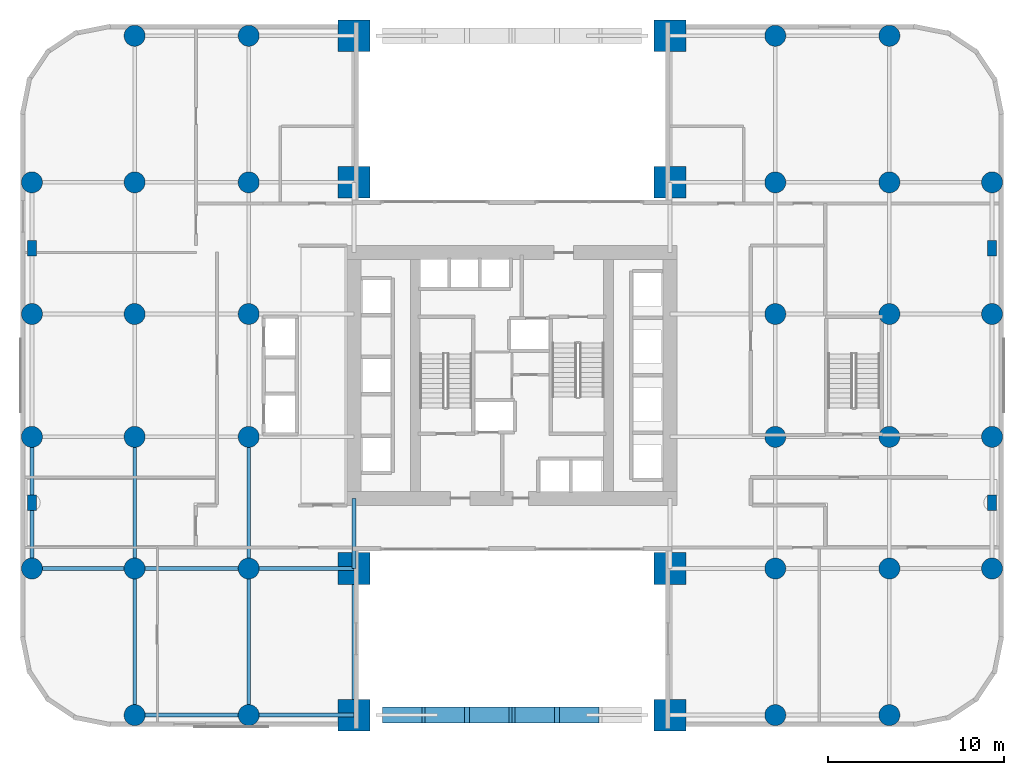
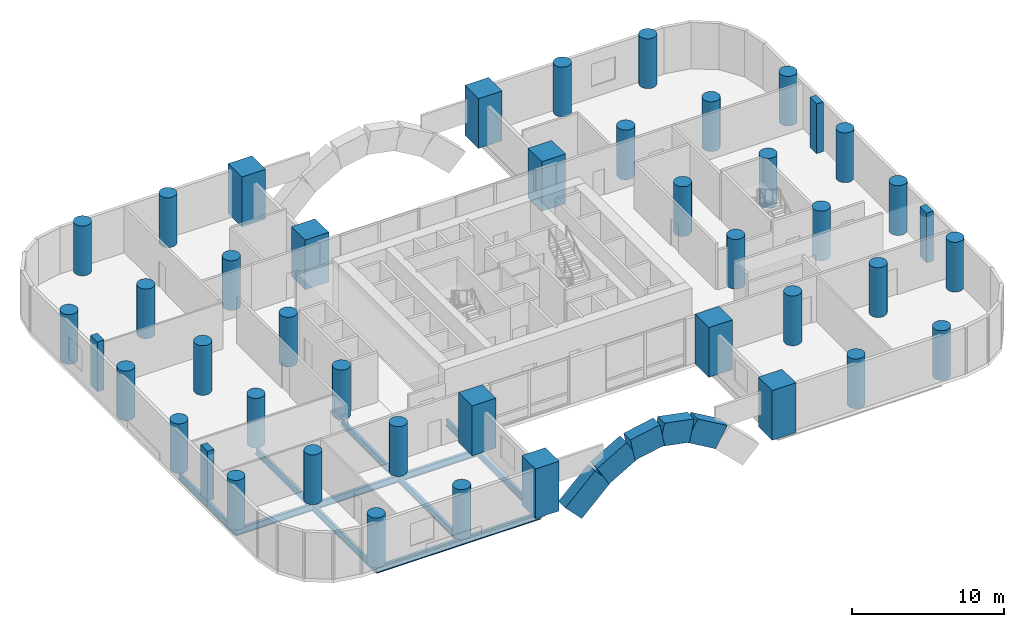
# One storey, part 1 of 9: 44 columns, 13 beams, 5 members.
"""IFC4 building model written with IfcOpenShell, lengths in metres."""

from ifc_helpers import new_model, si_unit, direction, frame, origin, origin_2d, place, context, subcontext, project, spatial, rectangle, circle, i_section, extrude, material, material_profile, profile_set, type_object, element, save


model = new_model("IFC4")

# Units and contexts
model_context = context("Model", 3, precision=1e-05, world=origin(), true_north=direction((0.0, 1.0)))
body_context = subcontext(model_context, "Body", "Model", "MODEL_VIEW")
ifc_project = project(units=[si_unit("LENGTHUNIT", "METRE"), si_unit("AREAUNIT", "SQUARE_METRE"), si_unit("VOLUMEUNIT", "CUBIC_METRE"), si_unit("PLANEANGLEUNIT", "RADIAN"), si_unit("MASSUNIT", "GRAM", prefix="KILO")], contexts=[model_context])

# Site, building, storey
site_placement = place(None, origin())
site = spatial("IfcSite", under=ifc_project, at=site_placement, CompositionType="ELEMENT")
building_placement = place(site_placement, origin())
building = spatial("IfcBuilding", under=site, at=building_placement, Name="Veldorim Arch Residences", CompositionType="ELEMENT")
storey_placement = place(building_placement, frame((0.0, 0.0, 8.0)))
storey = spatial("IfcBuildingStorey", under=building, at=storey_placement, Name="L02", CompositionType="ELEMENT", Elevation=8.0)

# Columns
ifc_material_1 = material(Name="Concrete C60/75", Category="concrete")
ifc_material_profile_1 = material_profile(ifc_material_1, circle(Radius=0.60009765625, at=origin_2d()), Name="RC_CIRC_1200")
ifc_profile_set_1 = profile_set([ifc_material_profile_1], Name="Concrete C60/75")
column_type_1 = type_object("IfcColumnType", Name="Structural Column RC_CIRC_1200", PredefinedType="COLUMN", material=ifc_profile_set_1)
for number, where, z_axis, x_axis, name in (
    (1, (4.64990234375, 13.0, 0.0), (0.0, 0.0, 1.0), (1.0, 0.0, 0.0), "L02 podium column (4.65, 13.00)"),
    (2, (4.64990234375, 20.5, 0.0), (0.0, 0.0, 1.0), (1.0, 0.0, 0.0), "L02 podium column (4.65, 20.50)"),
    (3, (4.64990234375, 27.5, 0.0), (0.0, 0.0, 1.0), (1.0, 0.0, 0.0), "L02 podium column (4.65, 27.50)"),
    (4, (4.64990234375, 35.0, 0.0), (0.0, 0.0, 1.0), (1.0, 0.0, 0.0), "L02 podium column (4.65, 35.00)"),
    (5, (10.5, 4.64990234375, 0.0), (0.0, 0.0, 1.0), (1.0, 0.0, 0.0), "L02 podium column (10.50, 4.65)"),
    (6, (10.5, 13.0, 0.0), (0.0, 0.0, 1.0), (1.0, 0.0, 0.0), "L02 podium column (10.50, 13.00)"),
    (7, (10.5, 20.5, 0.0), (0.0, 0.0, 1.0), (1.0, 0.0, 0.0), "L02 podium column (10.50, 20.50)"),
    (8, (10.5, 27.5, 0.0), (0.0, 0.0, 1.0), (1.0, 0.0, 0.0), "L02 podium column (10.50, 27.50)"),
    (9, (10.5, 35.0, 0.0), (0.0, 0.0, 1.0), (1.0, 0.0, 0.0), "L02 podium column (10.50, 35.00)"),
    (10, (10.5, 43.35009765625, 0.0), (0.0, 0.0, 1.0), (1.0, 0.0, 0.0), "L02 podium column (10.50, 43.35)"),
    (11, (17.0, 4.64990234375, 0.0), (0.0, 0.0, 1.0), (1.0, 0.0, 0.0), "L02 podium column (17.00, 4.65)"),
    (12, (17.0, 13.0, 0.0), (0.0, 0.0, 1.0), (1.0, 0.0, 0.0), "L02 podium column (17.00, 13.00)"),
    (13, (17.0, 20.5, 0.0), (0.0, 0.0, 1.0), (1.0, 0.0, 0.0), "L02 podium column (17.00, 20.50)"),
    (14, (17.0, 27.5, 0.0), (0.0, 0.0, 1.0), (1.0, 0.0, 0.0), "L02 podium column (17.00, 27.50)"),
    (15, (17.0, 35.0, 0.0), (0.0, 0.0, 1.0), (1.0, 0.0, 0.0), "L02 podium column (17.00, 35.00)"),
    (16, (17.0, 43.35009765625, 0.0), (0.0, 0.0, 1.0), (1.0, 0.0, 0.0), "L02 podium column (17.00, 43.35)"),
    (17, (47.0, 4.64990234375, 0.0), (0.0, 0.0, 1.0), (1.0, 0.0, 0.0), "L02 podium column (47.00, 4.65)"),
    (18, (47.0, 13.0, 0.0), (0.0, 0.0, 1.0), (1.0, 0.0, 0.0), "L02 podium column (47.00, 13.00)"),
    (19, (47.0, 20.5, 0.0), (0.0, 0.0, 1.0), (1.0, 0.0, 0.0), "L02 podium column (47.00, 20.50)"),
    (20, (47.0, 27.5, 0.0), (0.0, 0.0, 1.0), (1.0, 0.0, 0.0), "L02 podium column (47.00, 27.50)"),
    (21, (47.0, 35.0, 0.0), (0.0, 0.0, 1.0), (1.0, 0.0, 0.0), "L02 podium column (47.00, 35.00)"),
    (22, (47.0, 43.35009765625, 0.0), (0.0, 0.0, 1.0), (1.0, 0.0, 0.0), "L02 podium column (47.00, 43.35)"),
    (23, (53.5, 4.64990234375, 0.0), (0.0, 0.0, 1.0), (1.0, 0.0, 0.0), "L02 podium column (53.50, 4.65)"),
    (24, (53.5, 13.0, 0.0), (0.0, 0.0, 1.0), (1.0, 0.0, 0.0), "L02 podium column (53.50, 13.00)"),
    (25, (53.5, 20.5, 0.0), (0.0, 0.0, 1.0), (1.0, 0.0, 0.0), "L02 podium column (53.50, 20.50)"),
    (26, (53.5, 27.5, 0.0), (0.0, 0.0, 1.0), (1.0, 0.0, 0.0), "L02 podium column (53.50, 27.50)"),
    (27, (53.5, 35.0, 0.0), (0.0, 0.0, 1.0), (1.0, 0.0, 0.0), "L02 podium column (53.50, 35.00)"),
    (28, (53.5, 43.35009765625, 0.0), (0.0, 0.0, 1.0), (1.0, 0.0, 0.0), "L02 podium column (53.50, 43.35)"),
    (29, (59.35009765625, 13.0, 0.0), (0.0, 0.0, 1.0), (1.0, 0.0, 0.0), "L02 podium column (59.35, 13.00)"),
    (30, (59.35009765625, 20.5, 0.0), (0.0, 0.0, 1.0), (1.0, 0.0, 0.0), "L02 podium column (59.35, 20.50)"),
    (31, (59.35009765625, 27.5, 0.0), (0.0, 0.0, 1.0), (1.0, 0.0, 0.0), "L02 podium column (59.35, 27.50)"),
    (32, (59.35009765625, 35.0, 0.0), (0.0, 0.0, 1.0), (1.0, 0.0, 0.0), "L02 podium column (59.35, 35.00)"),
):
    element("IfcColumn", number, at=place(storey_placement, frame(where, z_axis=z_axis, x_axis=x_axis)), inside=storey, type_object=column_type_1, Name=name, PredefinedType="COLUMN", context=body_context, shape_type="SweptSolid", body=[
        extrude(circle(Radius=0.60009765625, at=origin_2d()), origin(), (0.0, 0.0, 1.0), 4.0),
    ])
ifc_material_2 = material(Name="Concrete C60/75", Category="concrete")
ifc_material_profile_2 = material_profile(ifc_material_2, rectangle(XDim=1.800048828125, YDim=1.800048828125, at=origin_2d()), Name="RC_RECT_1800x1800")
ifc_profile_set_2 = profile_set([ifc_material_profile_2], Name="Concrete C60/75")
column_type_2 = type_object("IfcColumnType", Name="Structural Column RC_RECT_1800x1800", PredefinedType="COLUMN", material=ifc_profile_set_2)
for number, where, z_axis, x_axis, name in (
    (33, (23.0, 4.64990234375, 0.0), (0.0, 0.0, 1.0), (1.0, 0.0, 0.0), "L02 arch mega-pier (23.00, 4.65)"),
    (34, (23.0, 13.0, 0.0), (0.0, 0.0, 1.0), (1.0, 0.0, 0.0), "L02 arch mega-pier (23.00, 13.00)"),
    (35, (23.0, 35.0, 0.0), (0.0, 0.0, 1.0), (1.0, 0.0, 0.0), "L02 arch mega-pier (23.00, 35.00)"),
    (36, (23.0, 43.35009765625, 0.0), (0.0, 0.0, 1.0), (1.0, 0.0, 0.0), "L02 arch mega-pier (23.00, 43.35)"),
    (37, (41.0, 4.64990234375, 0.0), (0.0, 0.0, 1.0), (1.0, 0.0, 0.0), "L02 arch mega-pier (41.00, 4.65)"),
    (38, (41.0, 13.0, 0.0), (0.0, 0.0, 1.0), (1.0, 0.0, 0.0), "L02 arch mega-pier (41.00, 13.00)"),
    (39, (41.0, 35.0, 0.0), (0.0, 0.0, 1.0), (1.0, 0.0, 0.0), "L02 arch mega-pier (41.00, 35.00)"),
    (40, (41.0, 43.35009765625, 0.0), (0.0, 0.0, 1.0), (1.0, 0.0, 0.0), "L02 arch mega-pier (41.00, 43.35)"),
):
    element("IfcColumn", number, at=place(storey_placement, frame(where, z_axis=z_axis, x_axis=x_axis)), inside=storey, type_object=column_type_2, Name=name, PredefinedType="COLUMN", context=body_context, shape_type="SweptSolid", body=[
        extrude(rectangle(XDim=1.800048828125, YDim=1.800048828125, at=origin_2d()), origin(), (0.0, 0.0, 1.0), 4.0),
    ])
ifc_material_3 = material(Name="Concrete C60/75", Category="concrete")
ifc_material_profile_3 = material_profile(ifc_material_3, rectangle(XDim=0.5, YDim=0.89990234375, at=origin_2d()), Name="RC_RECT_500x900")
ifc_profile_set_3 = profile_set([ifc_material_profile_3], Name="Concrete C60/75")
column_type_3 = type_object("IfcColumnType", Name="Structural Pilaster RC_RECT_500x900", PredefinedType="PILASTER", material=ifc_profile_set_3)
for number, where, z_axis, x_axis, name in (
    (41, (4.64990234375, 16.75, 0.0), (0.0, 0.0, 1.0), (1.0, 0.0, 0.0), "L02 facade structural pilaster (4.65, 16.75)"),
    (42, (4.64990234375, 31.25, 0.0), (0.0, 0.0, 1.0), (1.0, 0.0, 0.0), "L02 facade structural pilaster (4.65, 31.25)"),
    (43, (59.35009765625, 16.75, 0.0), (0.0, 0.0, 1.0), (1.0, 0.0, 0.0), "L02 facade structural pilaster (59.35, 16.75)"),
    (44, (59.35009765625, 31.25, 0.0), (0.0, 0.0, 1.0), (1.0, 0.0, 0.0), "L02 facade structural pilaster (59.35, 31.25)"),
):
    element("IfcColumn", number, at=place(storey_placement, frame(where, z_axis=z_axis, x_axis=x_axis)), inside=storey, type_object=column_type_3, Name=name, PredefinedType="PILASTER", context=body_context, shape_type="SweptSolid", body=[
        extrude(rectangle(XDim=0.5, YDim=0.89990234375, at=origin_2d()), origin(), (0.0, 0.0, 1.0), 4.0),
    ])

# Members
ifc_material_4 = material(Name="Concrete C60/75", Category="concrete")
ifc_material_profile_4 = material_profile(ifc_material_4, rectangle(XDim=0.89990234375, YDim=1.800048828125, at=origin_2d()), Name="RC_RECT_900x1800")
ifc_profile_set_4 = profile_set([ifc_material_profile_4], Name="Concrete C60/75")
member_type = type_object("IfcMemberType", Name="Giant Podium Arch Parabolic Rib 900x1800", PredefinedType="STRUT", material=ifc_profile_set_4)
member_1_placement = place(storey_placement, frame((25.25, 4.64990234375, -0.9375), z_axis=(0.716994918814, 0.0, 0.697078393292), x_axis=(0.0, 1.0, 0.0)))
element("IfcMember", 45, at=member_1_placement, inside=storey, type_object=member_type, Name="Giant Podium Arch S parabolic rib segment 2", PredefinedType="STRUT", context=body_context, shape_type="SweptSolid", body=[
    extrude(rectangle(XDim=0.89990234375, YDim=1.800048828125, at=origin_2d()), origin(), (0.0, 0.0, 1.0), 3.13818359375),
])
member_2_placement = place(storey_placement, frame((27.5, 4.64990234375, 1.25), z_axis=(0.863778900898, 0.0, 0.503871025524), x_axis=(0.0, 1.0, 0.0)))
element("IfcMember", 46, at=member_2_placement, inside=storey, type_object=member_type, Name="Giant Podium Arch S parabolic rib segment 3", PredefinedType="STRUT", context=body_context, shape_type="SweptSolid", body=[
    extrude(rectangle(XDim=0.89990234375, YDim=1.800048828125, at=origin_2d()), origin(), (0.0, 0.0, 1.0), 2.604736328125),
])
for number, where, z_axis, x_axis, name in (
    (47, (29.75, 4.64990234375, 2.5625), (0.981615389669, 0.0, 0.190869659102), (0.0, 1.0, 0.0), "Giant Podium Arch S parabolic rib segment 4"),
    (48, (32.0, 4.64990234375, 3.0), (0.981615389669, 0.0, -0.190869659102), (0.0, 1.0, 0.0), "Giant Podium Arch S parabolic rib segment 5"),
):
    element("IfcMember", number, at=place(storey_placement, frame(where, z_axis=z_axis, x_axis=x_axis)), inside=storey, type_object=member_type, Name=name, PredefinedType="STRUT", context=body_context, shape_type="SweptSolid", body=[
        extrude(rectangle(XDim=0.89990234375, YDim=1.800048828125, at=origin_2d()), origin(), (0.0, 0.0, 1.0), 2.292236328125),
    ])
member_3_placement = place(storey_placement, frame((34.25, 4.64990234375, 2.5625), z_axis=(0.863778900898, 0.0, -0.503871025524), x_axis=(0.0, 1.0, 0.0)))
element("IfcMember", 49, at=member_3_placement, inside=storey, type_object=member_type, Name="Giant Podium Arch S parabolic rib segment 6", PredefinedType="STRUT", context=body_context, shape_type="SweptSolid", body=[
    extrude(rectangle(XDim=0.89990234375, YDim=1.800048828125, at=origin_2d()), origin(), (0.0, 0.0, 1.0), 2.604736328125),
])

# Beams
ifc_material_5 = material(Name="Steel S355", Category="steel")
ifc_material_profile_5 = material_profile(ifc_material_5, i_section(OverallWidth=0.2099609375, OverallDepth=0.53662109375, WebThickness=0.0107421875, FlangeThickness=0.017333984375, at=origin_2d()), Name="UB533x210x101")
ifc_profile_set_5 = profile_set([ifc_material_profile_5], Name="Steel S355")
beam_type_1 = type_object("IfcBeamType", Name="Structural Steel Beam UB533x210x101", PredefinedType="BEAM", material=ifc_profile_set_5)
for number, where, z_axis, x_axis, name in (
    (50, (4.64990234375, 13.0, -0.54833984375), (0.0, 1.0, 0.0), (-1.0, 0.0, 0.0), "L02 north-south floor beam (X=4.7, 13.0-16.8)"),
    (51, (4.64990234375, 16.75, -0.54833984375), (0.0, 1.0, 0.0), (-1.0, 0.0, 0.0), "L02 north-south floor beam (X=4.7, 16.8-20.5)"),
):
    element("IfcBeam", number, at=place(storey_placement, frame(where, z_axis=z_axis, x_axis=x_axis)), inside=storey, type_object=beam_type_1, Name=name, PredefinedType="BEAM", context=body_context, shape_type="SweptSolid", body=[
        extrude(i_section(OverallWidth=0.2099609375, OverallDepth=0.53662109375, WebThickness=0.0107421875, FlangeThickness=0.017333984375, at=origin_2d()), origin(), (0.0, 0.0, 1.0), 3.75),
    ])
beam_1_placement = place(storey_placement, frame((10.5, 4.64990234375, -0.54833984375), z_axis=(0.0, 1.0, 0.0), x_axis=(-1.0, 0.0, 0.0)))
element("IfcBeam", 52, at=beam_1_placement, inside=storey, type_object=beam_type_1, Name="L02 north-south floor beam (X=10.5, 4.7-13.0)", PredefinedType="BEAM", context=body_context, shape_type="SweptSolid", body=[
    extrude(i_section(OverallWidth=0.2099609375, OverallDepth=0.53662109375, WebThickness=0.0107421875, FlangeThickness=0.017333984375, at=origin_2d()), origin(), (0.0, 0.0, 1.0), 8.35009765625),
])
beam_2_placement = place(storey_placement, frame((10.5, 13.0, -0.54833984375), z_axis=(0.0, 1.0, 0.0), x_axis=(-1.0, 0.0, 0.0)))
element("IfcBeam", 53, at=beam_2_placement, inside=storey, type_object=beam_type_1, Name="L02 north-south floor beam (X=10.5, 13.0-20.5)", PredefinedType="BEAM", context=body_context, shape_type="SweptSolid", body=[
    extrude(i_section(OverallWidth=0.2099609375, OverallDepth=0.53662109375, WebThickness=0.0107421875, FlangeThickness=0.017333984375, at=origin_2d()), origin(), (0.0, 0.0, 1.0), 7.5),
])
beam_3_placement = place(storey_placement, frame((17.0, 4.64990234375, -0.54833984375), z_axis=(0.0, 1.0, 0.0), x_axis=(-1.0, 0.0, 0.0)))
element("IfcBeam", 54, at=beam_3_placement, inside=storey, type_object=beam_type_1, Name="L02 north-south floor beam (X=17.0, 4.7-13.0)", PredefinedType="BEAM", context=body_context, shape_type="SweptSolid", body=[
    extrude(i_section(OverallWidth=0.2099609375, OverallDepth=0.53662109375, WebThickness=0.0107421875, FlangeThickness=0.017333984375, at=origin_2d()), origin(), (0.0, 0.0, 1.0), 8.35009765625),
])
beam_4_placement = place(storey_placement, frame((17.0, 13.0, -0.54833984375), z_axis=(0.0, 1.0, 0.0), x_axis=(-1.0, 0.0, 0.0)))
element("IfcBeam", 55, at=beam_4_placement, inside=storey, type_object=beam_type_1, Name="L02 north-south floor beam (X=17.0, 13.0-20.5)", PredefinedType="BEAM", context=body_context, shape_type="SweptSolid", body=[
    extrude(i_section(OverallWidth=0.2099609375, OverallDepth=0.53662109375, WebThickness=0.0107421875, FlangeThickness=0.017333984375, at=origin_2d()), origin(), (0.0, 0.0, 1.0), 7.5),
])
beam_5_placement = place(storey_placement, frame((23.0, 4.64990234375, -0.54833984375), z_axis=(0.0, 1.0, 0.0), x_axis=(-1.0, 0.0, 0.0)))
element("IfcBeam", 56, at=beam_5_placement, inside=storey, type_object=beam_type_1, Name="L02 north-south floor beam (X=23.0, 4.7-13.0)", PredefinedType="BEAM", context=body_context, shape_type="SweptSolid", body=[
    extrude(i_section(OverallWidth=0.2099609375, OverallDepth=0.53662109375, WebThickness=0.0107421875, FlangeThickness=0.017333984375, at=origin_2d()), origin(), (0.0, 0.0, 1.0), 8.35009765625),
])
beam_6_placement = place(storey_placement, frame((23.0, 13.0, -0.54833984375), z_axis=(0.0, 1.0, 0.0), x_axis=(-1.0, 0.0, 0.0)))
element("IfcBeam", 57, at=beam_6_placement, inside=storey, type_object=beam_type_1, Name="L02 north-south floor beam (X=23.0, 13.0-17.0)", PredefinedType="BEAM", context=body_context, shape_type="SweptSolid", body=[
    extrude(i_section(OverallWidth=0.2099609375, OverallDepth=0.53662109375, WebThickness=0.0107421875, FlangeThickness=0.017333984375, at=origin_2d()), origin(), (0.0, 0.0, 1.0), 4.0),
])
ifc_material_6 = material(Name="Steel S355", Category="steel")
ifc_material_profile_6 = material_profile(ifc_material_6, i_section(OverallWidth=0.2119140625, OverallDepth=0.54443359375, WebThickness=0.0126953125, FlangeThickness=0.021240234375, at=origin_2d()), Name="UB533x210x122")
ifc_profile_set_6 = profile_set([ifc_material_profile_6], Name="Steel S355")
beam_type_2 = type_object("IfcBeamType", Name="Structural Steel Beam UB533x210x122", PredefinedType="BEAM", material=ifc_profile_set_6)
beam_7_placement = place(storey_placement, frame((10.5, 4.64990234375, -0.55224609375), z_axis=(1.0, 0.0, 0.0), x_axis=(0.0, 1.0, 0.0)))
element("IfcBeam", 58, at=beam_7_placement, inside=storey, type_object=beam_type_2, Name="L02 east-west floor beam (10.5-17.0, Y=4.7)", PredefinedType="BEAM", context=body_context, shape_type="SweptSolid", body=[
    extrude(i_section(OverallWidth=0.2119140625, OverallDepth=0.54443359375, WebThickness=0.0126953125, FlangeThickness=0.021240234375, at=origin_2d()), origin(), (0.0, 0.0, 1.0), 6.5),
])
beam_8_placement = place(storey_placement, frame((17.0, 4.64990234375, -0.55224609375), z_axis=(1.0, 0.0, 0.0), x_axis=(0.0, 1.0, 0.0)))
element("IfcBeam", 59, at=beam_8_placement, inside=storey, type_object=beam_type_2, Name="L02 east-west floor beam (17.0-23.0, Y=4.7)", PredefinedType="BEAM", context=body_context, shape_type="SweptSolid", body=[
    extrude(i_section(OverallWidth=0.2119140625, OverallDepth=0.54443359375, WebThickness=0.0126953125, FlangeThickness=0.021240234375, at=origin_2d()), origin(), (0.0, 0.0, 1.0), 6.0),
])
beam_9_placement = place(storey_placement, frame((4.64990234375, 13.0, -0.55224609375), z_axis=(1.0, 0.0, 0.0), x_axis=(0.0, 1.0, 0.0)))
element("IfcBeam", 60, at=beam_9_placement, inside=storey, type_object=beam_type_2, Name="L02 east-west floor beam (4.7-10.5, Y=13.0)", PredefinedType="BEAM", context=body_context, shape_type="SweptSolid", body=[
    extrude(i_section(OverallWidth=0.2119140625, OverallDepth=0.54443359375, WebThickness=0.0126953125, FlangeThickness=0.021240234375, at=origin_2d()), origin(), (0.0, 0.0, 1.0), 5.85009765625),
])
beam_10_placement = place(storey_placement, frame((10.5, 13.0, -0.55224609375), z_axis=(1.0, 0.0, 0.0), x_axis=(0.0, 1.0, 0.0)))
element("IfcBeam", 61, at=beam_10_placement, inside=storey, type_object=beam_type_2, Name="L02 east-west floor beam (10.5-17.0, Y=13.0)", PredefinedType="BEAM", context=body_context, shape_type="SweptSolid", body=[
    extrude(i_section(OverallWidth=0.2119140625, OverallDepth=0.54443359375, WebThickness=0.0126953125, FlangeThickness=0.021240234375, at=origin_2d()), origin(), (0.0, 0.0, 1.0), 6.5),
])
beam_11_placement = place(storey_placement, frame((17.0, 13.0, -0.55224609375), z_axis=(1.0, 0.0, 0.0), x_axis=(0.0, 1.0, 0.0)))
element("IfcBeam", 62, at=beam_11_placement, inside=storey, type_object=beam_type_2, Name="L02 east-west floor beam (17.0-23.0, Y=13.0)", PredefinedType="BEAM", context=body_context, shape_type="SweptSolid", body=[
    extrude(i_section(OverallWidth=0.2119140625, OverallDepth=0.54443359375, WebThickness=0.0126953125, FlangeThickness=0.021240234375, at=origin_2d()), origin(), (0.0, 0.0, 1.0), 6.0),
])

save(model, "model.ifc")
